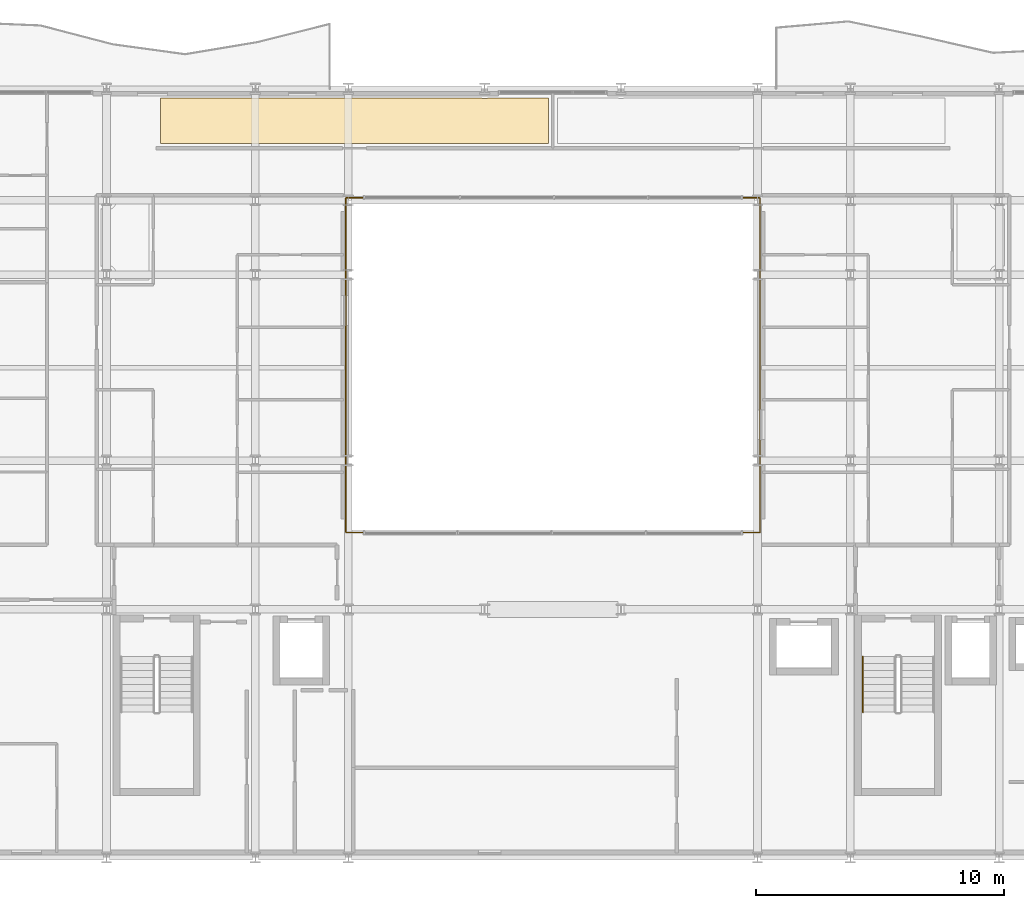
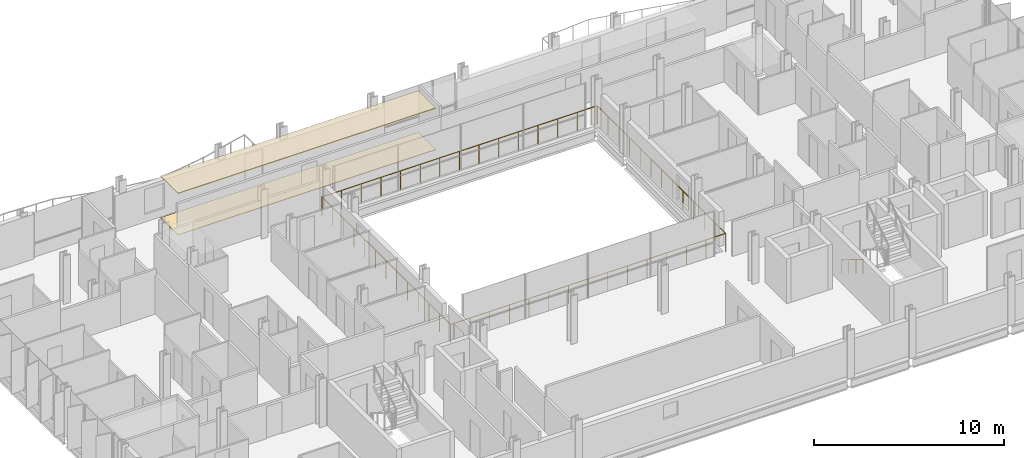
# One storey, part 36 of 38: 3 railings, 2 coverings.
"""IFC4 building model written with IfcOpenShell, lengths in metres."""

from ifc_helpers import new_model, si_unit, direction, frame, origin, origin_2d, place, context, subcontext, project, spatial, polyline, circle, outline, extrude, material, layer, layer_set, type_object, element, save


model = new_model("IFC4")

# Units and contexts
model_context = context("Model", 3, precision=1e-05, world=origin(), true_north=direction((0.0, 1.0)))
body_context = subcontext(model_context, "Body", "Model", "MODEL_VIEW")
ifc_project = project(units=[si_unit("LENGTHUNIT", "METRE"), si_unit("AREAUNIT", "SQUARE_METRE"), si_unit("VOLUMEUNIT", "CUBIC_METRE"), si_unit("PLANEANGLEUNIT", "RADIAN"), si_unit("MASSUNIT", "GRAM", prefix="KILO")], contexts=[model_context])

# Site, building, storey
site_placement = place(None, origin())
site = spatial("IfcSite", under=ifc_project, at=site_placement, CompositionType="ELEMENT")
building_placement = place(site_placement, origin())
building = spatial("IfcBuilding", under=site, at=building_placement, Name="Brevholm Reach", CompositionType="ELEMENT")
storey_placement = place(building_placement, frame((0.0, 0.0, 71.39990234375)))
storey = spatial("IfcBuildingStorey", under=building, at=storey_placement, Name="L20", CompositionType="ELEMENT", Elevation=71.39990234375)

# Coverings
ifc_material_1 = material(Name="Perforated Mineral-Fibre Class-A Acoustic Suspended Ceiling", Category="gypsum")
ifc_layer_1 = layer(ifc_material_1, 0.044921875)
ifc_layer_set_1 = layer_set([ifc_layer_1], Name="Perforated Mineral-Fibre Class-A Acoustic Suspended Ceiling")
covering_type_1 = type_object("IfcCoveringType", Name="COV-CLG-AC", PredefinedType="CEILING", material=ifc_layer_set_1)
covering_1_placement = place(storey_placement, frame((0.0, 0.0, 2.655029296875)))
element("IfcCovering", 1, at=covering_1_placement, inside=storey, type_object=covering_type_1, Name="L20 Suspended Ceiling L20-75", PredefinedType="CEILING", context=body_context, shape_type="SweptSolid", body=[
    extrude(outline(polyline([(14.179931640625, 30.6201171875), (17.876220703125, 30.6201171875), (17.8837890625, 30.6171875), (17.922119140625, 30.607666015625), (17.960693359375, 30.601806640625), (18.0, 30.60009765625), (18.039306640625, 30.601806640625), (18.077880859375, 30.607666015625), (18.1162109375, 30.6171875), (18.123779296875, 30.6201171875), (21.626220703125, 30.6201171875), (21.6337890625, 30.6171875), (21.672119140625, 30.607666015625), (21.710693359375, 30.601806640625), (21.75, 30.60009765625), (21.789306640625, 30.601806640625), (21.827880859375, 30.607666015625), (21.8662109375, 30.6171875), (21.873779296875, 30.6201171875), (27.126220703125, 30.6201171875), (27.1337890625, 30.6171875), (27.172119140625, 30.607666015625), (27.210693359375, 30.601806640625), (27.25, 30.60009765625), (27.289306640625, 30.601806640625), (27.327880859375, 30.607666015625), (27.3662109375, 30.6171875), (27.373779296875, 30.6201171875), (29.820068359375, 30.6201171875), (29.820068359375, 28.783935546875), (14.179931640625, 28.783935546875), (14.179931640625, 30.6201171875)])), origin(), (0.0, 0.0, 1.0), 0.045166015625),
])
ifc_material_2 = material(Name="Honed Portland-Aggregate Resin Terrazzo Flooring", Category="concrete")
ifc_layer_2 = layer(ifc_material_2, 0.031982421875)
ifc_layer_set_2 = layer_set([ifc_layer_2], Name="Honed Portland-Aggregate Resin Terrazzo Flooring")
covering_type_2 = type_object("IfcCoveringType", Name="COV-FLR-TRZ", PredefinedType="FLOORING", material=ifc_layer_set_2)
covering_2_placement = place(storey_placement, origin())
element("IfcCovering", 2, at=covering_2_placement, inside=storey, type_object=covering_type_2, Name="L20 Floor Finish L20-75", PredefinedType="FLOORING", context=body_context, shape_type="SweptSolid", body=[
    extrude(outline(polyline([(14.179931640625, 30.6201171875), (17.876220703125, 30.6201171875), (17.8837890625, 30.6171875), (17.922119140625, 30.607666015625), (17.960693359375, 30.601806640625), (18.0, 30.60009765625), (18.039306640625, 30.601806640625), (18.077880859375, 30.607666015625), (18.1162109375, 30.6171875), (18.123779296875, 30.6201171875), (21.626220703125, 30.6201171875), (21.6337890625, 30.6171875), (21.672119140625, 30.607666015625), (21.710693359375, 30.601806640625), (21.75, 30.60009765625), (21.789306640625, 30.601806640625), (21.827880859375, 30.607666015625), (21.8662109375, 30.6171875), (21.873779296875, 30.6201171875), (27.126220703125, 30.6201171875), (27.1337890625, 30.6171875), (27.172119140625, 30.607666015625), (27.210693359375, 30.601806640625), (27.25, 30.60009765625), (27.289306640625, 30.601806640625), (27.327880859375, 30.607666015625), (27.3662109375, 30.6171875), (27.373779296875, 30.6201171875), (29.820068359375, 30.6201171875), (29.820068359375, 28.783935546875), (14.179931640625, 28.783935546875), (14.179931640625, 30.6201171875)])), origin(), (0.0, 0.0, 1.0), 0.031982421875),
])

# Railings
ifc_material_3 = material(Name="Brushed Stainless Steel EN 1.4401 Continuous Handrail", Category="steel")
railing_type_1 = type_object("IfcRailingType", Name="RAL-HND-950", PredefinedType="HANDRAIL", material=ifc_material_3)
railing_1_placement = place(storey_placement, frame((42.5, 8.10009765625, 0.17236328125)))
element("IfcRailing", 3, at=railing_1_placement, inside=storey, type_object=railing_type_1, Name="L20 ST-2 stair handrail 1", PredefinedType="HANDRAIL", context=body_context, shape_type="SweptSolid", body=[
    extrude(circle(Radius=0.02392578125, at=origin_2d()), frame((0.0, 0.0, 0.8857421875), z_axis=(0.0, -0.85178898068, 0.523885037382), x_axis=(1.0, 0.0, 0.0)), (0.0, 0.0, 1.0), 2.629638671875),
    extrude(circle(Radius=0.02099609375, at=origin_2d()), origin(), (0.0, 0.0, 1.0), 0.86181640625),
    extrude(circle(Radius=0.02099609375, at=origin_2d()), frame((0.0, -0.74658203125, 0.459228515625)), (0.0, 0.0, 1.0), 0.86181640625),
    extrude(circle(Radius=0.02099609375, at=origin_2d()), frame((0.0, -1.493408203125, 0.91845703125)), (0.0, 0.0, 1.0), 0.86181640625),
    extrude(circle(Radius=0.02099609375, at=origin_2d()), frame((0.0, -2.239990234375, 1.377685546875)), (0.0, 0.0, 1.0), 0.86181640625),
])
ifc_material_4 = material(Name="Brushed Stainless Steel EN 1.4401 and Laminated Glass", Category="steel")
railing_type_2 = type_object("IfcRailingType", Name="RAL-TERR-1200", PredefinedType="BALUSTRADE", material=ifc_material_4)
railing_2_placement = place(storey_placement, frame((21.64990234375, 13.10009765625, 0.0)))
element("IfcRailing", 4, at=railing_2_placement, inside=storey, type_object=railing_type_2, Name="L20 Guard Balustrade RAL-L20-AT-VOID-SW", PredefinedType="BALUSTRADE", context=body_context, shape_type="SweptSolid", body=[
    extrude(circle(Radius=0.02392578125, at=origin_2d()), frame((0.0, 0.0, 1.17578125), z_axis=(1.0, 0.0, 0.0), x_axis=(0.0, 1.0, 0.0)), (0.0, 0.0, 1.0), 16.7001953125),
    extrude(circle(Radius=0.02392578125, at=origin_2d()), frame((16.7001953125, 0.0, 1.17578125), z_axis=(0.0, 1.0, 0.0), x_axis=(-1.0, 0.0, 0.0)), (0.0, 0.0, 1.0), 13.47998046875),
    extrude(circle(Radius=0.02099609375, at=origin_2d()), origin(), (0.0, 0.0, 1.0), 1.15185546875),
    extrude(circle(Radius=0.02099609375, at=origin_2d()), frame((1.19287109375, 0.0, 0.0)), (0.0, 0.0, 1.0), 1.15185546875),
    extrude(circle(Radius=0.02099609375, at=origin_2d()), frame((2.3857421875, 0.0, 0.0)), (0.0, 0.0, 1.0), 1.15185546875),
    extrude(circle(Radius=0.02099609375, at=origin_2d()), frame((3.57861328125, 0.0, 0.0)), (0.0, 0.0, 1.0), 1.15185546875),
    extrude(circle(Radius=0.02099609375, at=origin_2d()), frame((4.771484375, 0.0, 0.0)), (0.0, 0.0, 1.0), 1.15185546875),
    extrude(circle(Radius=0.02099609375, at=origin_2d()), frame((5.96435546875, 0.0, 0.0)), (0.0, 0.0, 1.0), 1.15185546875),
    extrude(circle(Radius=0.02099609375, at=origin_2d()), frame((7.1572265625, 0.0, 0.0)), (0.0, 0.0, 1.0), 1.15185546875),
    extrude(circle(Radius=0.02099609375, at=origin_2d()), frame((8.35009765625, 0.0, 0.0)), (0.0, 0.0, 1.0), 1.15185546875),
    extrude(circle(Radius=0.02099609375, at=origin_2d()), frame((9.54296875, 0.0, 0.0)), (0.0, 0.0, 1.0), 1.15185546875),
    extrude(circle(Radius=0.02099609375, at=origin_2d()), frame((10.73583984375, 0.0, 0.0)), (0.0, 0.0, 1.0), 1.15185546875),
    extrude(circle(Radius=0.02099609375, at=origin_2d()), frame((11.9287109375, 0.0, 0.0)), (0.0, 0.0, 1.0), 1.15185546875),
    extrude(circle(Radius=0.02099609375, at=origin_2d()), frame((13.12158203125, 0.0, 0.0)), (0.0, 0.0, 1.0), 1.15185546875),
    extrude(circle(Radius=0.02099609375, at=origin_2d()), frame((14.314453125, 0.0, 0.0)), (0.0, 0.0, 1.0), 1.15185546875),
    extrude(circle(Radius=0.02099609375, at=origin_2d()), frame((15.50732421875, 0.0, 0.0)), (0.0, 0.0, 1.0), 1.15185546875),
    extrude(circle(Radius=0.02099609375, at=origin_2d()), frame((16.7001953125, 0.0, 0.0)), (0.0, 0.0, 1.0), 1.15185546875),
    extrude(circle(Radius=0.02099609375, at=origin_2d()), frame((16.7001953125, 1.123291015625, 0.0)), (0.0, 0.0, 1.0), 1.15185546875),
    extrude(circle(Radius=0.02099609375, at=origin_2d()), frame((16.7001953125, 2.24658203125, 0.0)), (0.0, 0.0, 1.0), 1.15185546875),
    extrude(circle(Radius=0.02099609375, at=origin_2d()), frame((16.7001953125, 3.3701171875, 0.0)), (0.0, 0.0, 1.0), 1.15185546875),
    extrude(circle(Radius=0.02099609375, at=origin_2d()), frame((16.7001953125, 4.493408203125, 0.0)), (0.0, 0.0, 1.0), 1.15185546875),
    extrude(circle(Radius=0.02099609375, at=origin_2d()), frame((16.7001953125, 5.61669921875, 0.0)), (0.0, 0.0, 1.0), 1.15185546875),
    extrude(circle(Radius=0.02099609375, at=origin_2d()), frame((16.7001953125, 6.739990234375, 0.0)), (0.0, 0.0, 1.0), 1.15185546875),
    extrude(circle(Radius=0.02099609375, at=origin_2d()), frame((16.7001953125, 7.86328125, 0.0)), (0.0, 0.0, 1.0), 1.15185546875),
    extrude(circle(Radius=0.02099609375, at=origin_2d()), frame((16.7001953125, 8.986572265625, 0.0)), (0.0, 0.0, 1.0), 1.15185546875),
    extrude(circle(Radius=0.02099609375, at=origin_2d()), frame((16.7001953125, 10.10986328125, 0.0)), (0.0, 0.0, 1.0), 1.15185546875),
    extrude(circle(Radius=0.02099609375, at=origin_2d()), frame((16.7001953125, 11.2333984375, 0.0)), (0.0, 0.0, 1.0), 1.15185546875),
    extrude(circle(Radius=0.02099609375, at=origin_2d()), frame((16.7001953125, 12.356689453125, 0.0)), (0.0, 0.0, 1.0), 1.15185546875),
    extrude(circle(Radius=0.02099609375, at=origin_2d()), frame((16.7001953125, 13.47998046875, 0.0)), (0.0, 0.0, 1.0), 1.15185546875),
])
railing_3_placement = place(storey_placement, frame((38.330078125, 26.60009765625, 0.0)))
element("IfcRailing", 5, at=railing_3_placement, inside=storey, type_object=railing_type_2, Name="L20 Guard Balustrade RAL-L20-AT-VOID-NE", PredefinedType="BALUSTRADE", context=body_context, shape_type="SweptSolid", body=[
    extrude(circle(Radius=0.02392578125, at=origin_2d()), frame((0.0, 0.0, 1.17578125), z_axis=(-1.0, 0.0, 0.0), x_axis=(0.0, -1.0, 0.0)), (0.0, 0.0, 1.0), 16.68017578125),
    extrude(circle(Radius=0.02392578125, at=origin_2d()), frame((-16.68017578125, 0.0, 1.17578125), z_axis=(0.0, -1.0, 0.0), x_axis=(1.0, 0.0, 0.0)), (0.0, 0.0, 1.0), 13.47998046875),
    extrude(circle(Radius=0.02099609375, at=origin_2d()), origin(), (0.0, 0.0, 1.0), 1.15185546875),
    extrude(circle(Radius=0.02099609375, at=origin_2d()), frame((-1.19140625, 0.0, 0.0)), (0.0, 0.0, 1.0), 1.15185546875),
    extrude(circle(Radius=0.02099609375, at=origin_2d()), frame((-2.3828125, 0.0, 0.0)), (0.0, 0.0, 1.0), 1.15185546875),
    extrude(circle(Radius=0.02099609375, at=origin_2d()), frame((-3.57421875, 0.0, 0.0)), (0.0, 0.0, 1.0), 1.15185546875),
    extrude(circle(Radius=0.02099609375, at=origin_2d()), frame((-4.765869140625, 0.0, 0.0)), (0.0, 0.0, 1.0), 1.15185546875),
    extrude(circle(Radius=0.02099609375, at=origin_2d()), frame((-5.957275390625, 0.0, 0.0)), (0.0, 0.0, 1.0), 1.15185546875),
    extrude(circle(Radius=0.02099609375, at=origin_2d()), frame((-7.148681640625, 0.0, 0.0)), (0.0, 0.0, 1.0), 1.15185546875),
    extrude(circle(Radius=0.02099609375, at=origin_2d()), frame((-8.340087890625, 0.0, 0.0)), (0.0, 0.0, 1.0), 1.15185546875),
    extrude(circle(Radius=0.02099609375, at=origin_2d()), frame((-9.531494140625, 0.0, 0.0)), (0.0, 0.0, 1.0), 1.15185546875),
    extrude(circle(Radius=0.02099609375, at=origin_2d()), frame((-10.722900390625, 0.0, 0.0)), (0.0, 0.0, 1.0), 1.15185546875),
    extrude(circle(Radius=0.02099609375, at=origin_2d()), frame((-11.914306640625, 0.0, 0.0)), (0.0, 0.0, 1.0), 1.15185546875),
    extrude(circle(Radius=0.02099609375, at=origin_2d()), frame((-13.10595703125, 0.0, 0.0)), (0.0, 0.0, 1.0), 1.15185546875),
    extrude(circle(Radius=0.02099609375, at=origin_2d()), frame((-14.29736328125, 0.0, 0.0)), (0.0, 0.0, 1.0), 1.15185546875),
    extrude(circle(Radius=0.02099609375, at=origin_2d()), frame((-15.48876953125, 0.0, 0.0)), (0.0, 0.0, 1.0), 1.15185546875),
    extrude(circle(Radius=0.02099609375, at=origin_2d()), frame((-16.68017578125, 0.0, 0.0)), (0.0, 0.0, 1.0), 1.15185546875),
    extrude(circle(Radius=0.02099609375, at=origin_2d()), frame((-16.68017578125, -1.123291015625, 0.0)), (0.0, 0.0, 1.0), 1.15185546875),
    extrude(circle(Radius=0.02099609375, at=origin_2d()), frame((-16.68017578125, -2.24658203125, 0.0)), (0.0, 0.0, 1.0), 1.15185546875),
    extrude(circle(Radius=0.02099609375, at=origin_2d()), frame((-16.68017578125, -3.3701171875, 0.0)), (0.0, 0.0, 1.0), 1.15185546875),
    extrude(circle(Radius=0.02099609375, at=origin_2d()), frame((-16.68017578125, -4.493408203125, 0.0)), (0.0, 0.0, 1.0), 1.15185546875),
    extrude(circle(Radius=0.02099609375, at=origin_2d()), frame((-16.68017578125, -5.61669921875, 0.0)), (0.0, 0.0, 1.0), 1.15185546875),
    extrude(circle(Radius=0.02099609375, at=origin_2d()), frame((-16.68017578125, -6.739990234375, 0.0)), (0.0, 0.0, 1.0), 1.15185546875),
    extrude(circle(Radius=0.02099609375, at=origin_2d()), frame((-16.68017578125, -7.86328125, 0.0)), (0.0, 0.0, 1.0), 1.15185546875),
    extrude(circle(Radius=0.02099609375, at=origin_2d()), frame((-16.68017578125, -8.986572265625, 0.0)), (0.0, 0.0, 1.0), 1.15185546875),
    extrude(circle(Radius=0.02099609375, at=origin_2d()), frame((-16.68017578125, -10.10986328125, 0.0)), (0.0, 0.0, 1.0), 1.15185546875),
    extrude(circle(Radius=0.02099609375, at=origin_2d()), frame((-16.68017578125, -11.2333984375, 0.0)), (0.0, 0.0, 1.0), 1.15185546875),
    extrude(circle(Radius=0.02099609375, at=origin_2d()), frame((-16.68017578125, -12.356689453125, 0.0)), (0.0, 0.0, 1.0), 1.15185546875),
    extrude(circle(Radius=0.02099609375, at=origin_2d()), frame((-16.68017578125, -13.47998046875, 0.0)), (0.0, 0.0, 1.0), 1.15185546875),
])

save(model, "model.ifc")
